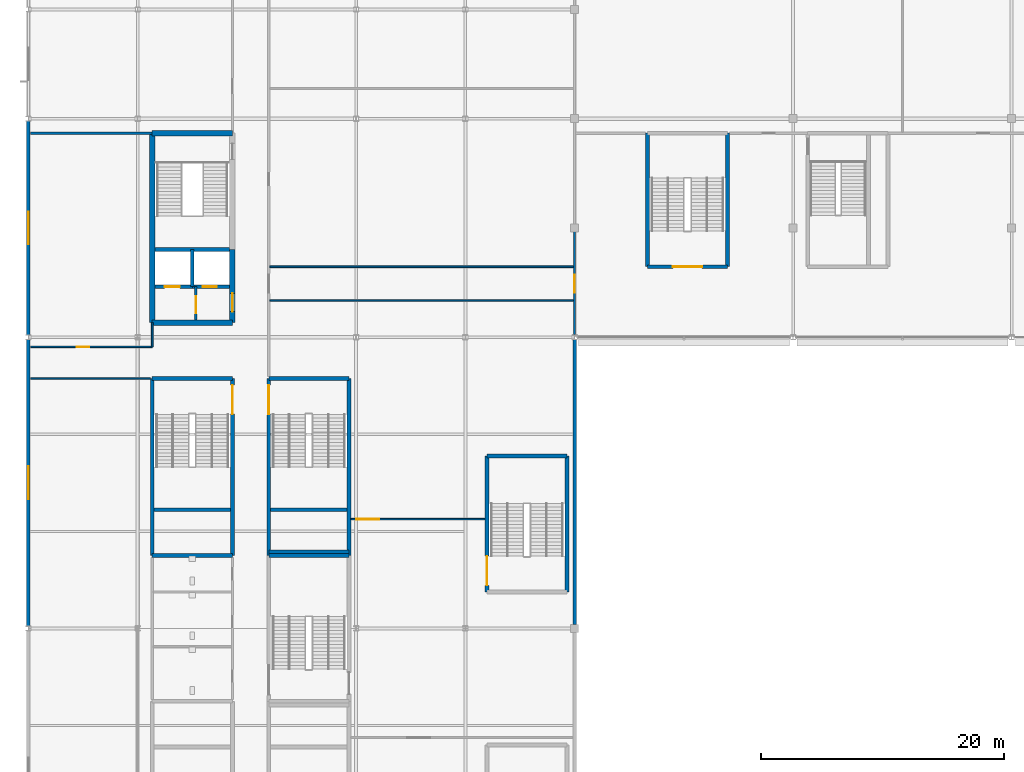
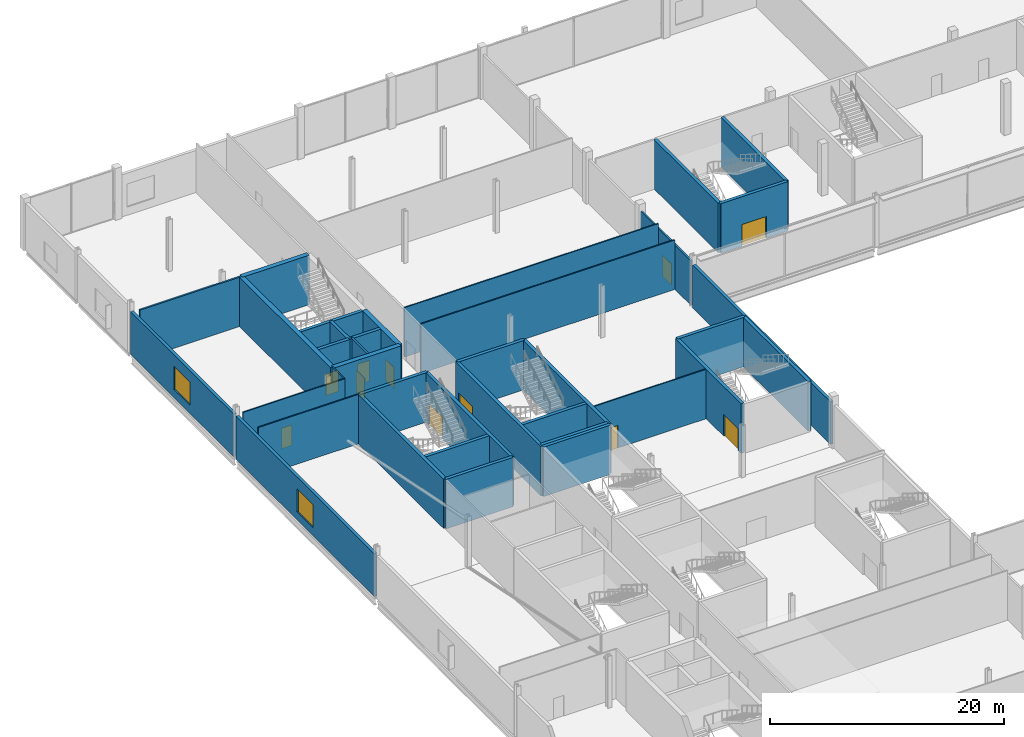
# One storey, part 61 of 111: 37 walls, 11 doors, 2 windows, 13 openings.
"""IFC4 building model written with IfcOpenShell, lengths in metres."""

from ifc_helpers import new_model, si_unit, direction, frame, frame_2d, origin, place, context, subcontext, project, spatial, rectangle, extrude, material, layer, layer_set, type_object, element, fill, save


model = new_model("IFC4")

# Units and contexts
model_context = context("Model", 3, precision=1e-05, world=origin(), true_north=direction((0.0, 1.0)))
body_context = subcontext(model_context, "Body", "Model", "MODEL_VIEW")
ifc_project = project(units=[si_unit("LENGTHUNIT", "METRE"), si_unit("AREAUNIT", "SQUARE_METRE"), si_unit("VOLUMEUNIT", "CUBIC_METRE"), si_unit("PLANEANGLEUNIT", "RADIAN"), si_unit("MASSUNIT", "GRAM", prefix="KILO")], contexts=[model_context])

# Site, building, storey
site_placement = place(None, origin())
site = spatial("IfcSite", under=ifc_project, at=site_placement, CompositionType="ELEMENT")
building_placement = place(site_placement, origin())
building = spatial("IfcBuilding", under=site, at=building_placement, Name="Kisiwana Market Hall", CompositionType="ELEMENT")
storey_placement = place(building_placement, frame((0.0, 0.0, 11.39990234375)))
storey = spatial("IfcBuildingStorey", under=building, at=storey_placement, Name="L02", CompositionType="ELEMENT", Elevation=11.39990234375)

# Wall, opening, door
ifc_material_1 = material(Name="Masonry blockwork", Category="masonry")
ifc_layer_1 = layer(ifc_material_1, 0.199951171875, Name="Plastered fire compartment block wall")
ifc_layer_set_1 = layer_set([ifc_layer_1], Name="WL-COMP-200")
wall_type_1 = type_object("IfcWallType", Name="WL-COMP-200", PredefinedType="PARTITIONING", material=ifc_layer_set_1)
wall_1_placement = place(storey_placement, frame((13.800048828125, 85.425048828125, 0.0), z_axis=(0.0, 0.0, 1.0), x_axis=(0.0, 1.0, 0.0)))
wall_1 = element("IfcWall", 1, at=wall_1_placement, inside=storey, type_object=wall_type_1, Name="Core W1 firefighting lobby wall W-1101", PredefinedType="PARTITIONING", context=body_context, shape_type="SweptSolid", body=[
    extrude(rectangle(XDim=2.72998046875, YDim=0.199951171875, at=frame_2d((1.364990234375, 0.0))), origin(), (0.0, 0.0, 1.0), 5.150146484375),
])
opening_1_placement = place(wall_1_placement, frame((0.550048828125, 0.0, 0.0)))
opening_1 = element("IfcOpeningElement", 2, at=opening_1_placement, cuts=wall_1, Name="Opening DR-L02-006", PredefinedType="OPENING", context=body_context, shape_type="SweptSolid", body=[
    extrude(rectangle(XDim=1.39990234375, YDim=2.25, at=frame_2d((0.699951171875, 1.125))), frame((0.0, 0.11181640625, 0.0), z_axis=(0.0, -1.0, 0.0), x_axis=(1.0, 0.0, 0.0)), (0.0, 0.0, 1.0), 0.223876953125),
])
ifc_material_2 = material(Name="Steel S275", Category="steel")
door_type_1 = type_object("IfcDoorType", Name="DR-FFLOB-FD120-1400", OperationType="DOUBLE_DOOR_SINGLE_SWING", PredefinedType="DOOR", material=ifc_material_2)
door_1_placement = place(opening_1_placement, frame((1.39990234375, 0.0, 0.0), z_axis=(0.0, 0.0, 1.0), x_axis=(-1.0, 0.0, 0.0)))
door_1 = element("IfcDoor", 3, at=door_1_placement, inside=storey, type_object=door_type_1, Name="Firefighting Lift Lobby W1 Door (L02)", OperationType="DOUBLE_DOOR_SINGLE_SWING", OverallHeight=2.25, OverallWidth=1.39990234375, PredefinedType="DOOR", context=body_context, shape_type="SweptSolid", body=[
    extrude(rectangle(XDim=1.39990234375, YDim=2.25, at=frame_2d((0.699951171875, 1.125))), frame((0.0, 0.02490234375, 0.0), z_axis=(0.0, -1.0, 0.0), x_axis=(1.0, 0.0, 0.0)), (0.0, 0.0, 1.0), 0.050048828125),
])
fill(opening_1, door_1)

# Walls
ifc_material_3 = material(Name="Concrete C40/50", Category="concrete")
ifc_layer_2 = layer(ifc_material_3, 0.320068359375, Name="Reinforced concrete shaft wall")
ifc_layer_set_2 = layer_set([ifc_layer_2], Name="WL-CORE-320")
wall_type_2 = type_object("IfcWallType", Name="WL-CORE-320", PredefinedType="SHEAR", material=ifc_layer_set_2)
wall_2_placement = place(storey_placement, frame((10.425048828125, 91.215087890625, 0.0), z_axis=(0.0, 0.0, 1.0), x_axis=(1.0, 0.0, 0.0)))
element("IfcWall", 4, at=wall_2_placement, inside=storey, type_object=wall_type_2, Name="Core W1 shaft back shear wall W-0932", PredefinedType="SHEAR", context=body_context, shape_type="SweptSolid", body=[
    extrude(rectangle(XDim=6.14990234375, YDim=0.320068359375, at=frame_2d((3.074951171875, 0.0))), origin(), (0.0, 0.0, 1.0), 5.150146484375),
])
wall_3_placement = place(storey_placement, frame((13.5, 88.155029296875, 0.0), z_axis=(0.0, 0.0, 1.0), x_axis=(0.0, 1.0, 0.0)))
element("IfcWall", 5, at=wall_3_placement, inside=storey, type_object=wall_type_2, Name="Core W1 inter-shaft shear wall W-0933", PredefinedType="SHEAR", context=body_context, shape_type="SweptSolid", body=[
    extrude(rectangle(XDim=3.06005859375, YDim=0.320068359375, at=frame_2d((1.530029296875, 0.0))), origin(), (0.0, 0.0, 1.0), 5.150146484375),
])

# Wall, opening, door
wall_4_placement = place(storey_placement, frame((10.425048828125, 88.155029296875, 0.0), z_axis=(0.0, 0.0, 1.0), x_axis=(1.0, 0.0, 0.0)))
wall_4 = element("IfcWall", 6, at=wall_4_placement, inside=storey, type_object=wall_type_2, Name="Core W1 west lift front wall W-0934", PredefinedType="SHEAR", context=body_context, shape_type="SweptSolid", body=[
    extrude(rectangle(XDim=3.074951171875, YDim=0.320068359375, at=frame_2d((1.53759765625, 0.0))), origin(), (0.0, 0.0, 1.0), 5.150146484375),
])
opening_2_placement = place(wall_4_placement, frame((0.800048828125, 0.0, 0.0)))
opening_2 = element("IfcOpeningElement", 7, at=opening_2_placement, cuts=wall_4, Name="Opening LD-L02-003", PredefinedType="OPENING", context=body_context, shape_type="SweptSolid", body=[
    extrude(rectangle(XDim=1.25, YDim=2.25, at=frame_2d((0.625, 1.125))), frame((0.0, 0.171875, 0.0), z_axis=(0.0, -1.0, 0.0), x_axis=(1.0, 0.0, 0.0)), (0.0, 0.0, 1.0), 0.343994140625),
])
ifc_material_4 = material(Name="Steel S275", Category="steel")
door_type_2 = type_object("IfcDoorType", Name="DR-LIFT-FFL-1250", OperationType="DOUBLE_DOOR_SLIDING", PredefinedType="DOOR", material=ifc_material_4)
door_2_placement = place(opening_2_placement, origin())
door_2 = element("IfcDoor", 8, at=door_2_placement, inside=storey, type_object=door_type_2, Name="Lift Landing Door FFL-02 (L02)", OperationType="DOUBLE_DOOR_SLIDING", OverallHeight=2.25, OverallWidth=1.25, PredefinedType="DOOR", context=body_context, shape_type="SweptSolid", body=[
    extrude(rectangle(XDim=1.25, YDim=2.25, at=frame_2d((0.625, 1.125))), frame((0.0, 0.02490234375, 0.0), z_axis=(0.0, -1.0, 0.0), x_axis=(1.0, 0.0, 0.0)), (0.0, 0.0, 1.0), 0.050048828125),
])
fill(opening_2, door_2)

wall_5_placement = place(storey_placement, frame((13.5, 88.155029296875, 0.0), z_axis=(0.0, 0.0, 1.0), x_axis=(1.0, 0.0, 0.0)))
wall_5 = element("IfcWall", 9, at=wall_5_placement, inside=storey, type_object=wall_type_2, Name="Core W1 east lift front wall W-0935", PredefinedType="SHEAR", context=body_context, shape_type="SweptSolid", body=[
    extrude(rectangle(XDim=3.074951171875, YDim=0.320068359375, at=frame_2d((1.53759765625, 0.0))), origin(), (0.0, 0.0, 1.0), 5.150146484375),
])
opening_3_placement = place(wall_5_placement, frame((0.85009765625, 0.0, 0.0)))
opening_3 = element("IfcOpeningElement", 10, at=opening_3_placement, cuts=wall_5, Name="Opening LD-L02-004", PredefinedType="OPENING", context=body_context, shape_type="SweptSolid", body=[
    extrude(rectangle(XDim=1.14990234375, YDim=2.199951171875, at=frame_2d((0.574951171875, 1.10009765625))), frame((0.0, 0.171875, 0.0), z_axis=(0.0, -1.0, 0.0), x_axis=(1.0, 0.0, 0.0)), (0.0, 0.0, 1.0), 0.343994140625),
])
ifc_material_5 = material(Name="Steel S275", Category="steel")
door_type_3 = type_object("IfcDoorType", Name="DR-LIFT-PAX-1150", OperationType="DOUBLE_DOOR_SLIDING", PredefinedType="DOOR", material=ifc_material_5)
door_3_placement = place(opening_3_placement, origin())
door_3 = element("IfcDoor", 11, at=door_3_placement, inside=storey, type_object=door_type_3, Name="Lift Landing Door LP-02 (L02)", OperationType="DOUBLE_DOOR_SLIDING", OverallHeight=2.199951171875, OverallWidth=1.14990234375, PredefinedType="DOOR", context=body_context, shape_type="SweptSolid", body=[
    extrude(rectangle(XDim=1.14990234375, YDim=2.199951171875, at=frame_2d((0.574951171875, 1.10009765625))), frame((0.0, 0.02490234375, 0.0), z_axis=(0.0, -1.0, 0.0), x_axis=(1.0, 0.0, 0.0)), (0.0, 0.0, 1.0), 0.050048828125),
])
fill(opening_3, door_3)

# Walls
for number, where, z_axis, x_axis, name in (
    (12, (10.199951171875, 66.0, 0.0), (0.0, 0.0, 1.0), (1.0, 0.0, 0.0), "Core W4 south shear wall W-0981"),
    (13, (10.199951171875, 80.60009765625, 0.0), (0.0, 0.0, 1.0), (1.0, 0.0, 0.0), "Core W4 north shear wall W-0982"),
):
    element("IfcWall", number, at=place(storey_placement, frame(where, z_axis=z_axis, x_axis=x_axis)), inside=storey, type_object=wall_type_2, Name=name, PredefinedType="SHEAR", context=body_context, shape_type="SweptSolid", body=[
        extrude(rectangle(XDim=6.60009765625, YDim=0.320068359375, at=frame_2d((3.300048828125, 0.0))), origin(), (0.0, 0.0, 1.0), 5.150146484375),
    ])
wall_6_placement = place(storey_placement, frame((10.199951171875, 66.0, 0.0), z_axis=(0.0, 0.0, 1.0), x_axis=(0.0, 1.0, 0.0)))
element("IfcWall", 14, at=wall_6_placement, inside=storey, type_object=wall_type_2, Name="Core W4 outer shear wall W-0983", PredefinedType="SHEAR", context=body_context, shape_type="SweptSolid", body=[
    extrude(rectangle(XDim=14.60009765625, YDim=0.320068359375, at=frame_2d((7.300048828125, 0.0))), origin(), (0.0, 0.0, 1.0), 5.150146484375),
])

# Wall, opening, door
wall_7_placement = place(storey_placement, frame((16.800048828125, 66.0, 0.0), z_axis=(0.0, 0.0, 1.0), x_axis=(0.0, 1.0, 0.0)))
wall_7 = element("IfcWall", 15, at=wall_7_placement, inside=storey, type_object=wall_type_2, Name="Core W4 corridor shear wall W-0984", PredefinedType="SHEAR", context=body_context, shape_type="SweptSolid", body=[
    extrude(rectangle(XDim=14.60009765625, YDim=0.320068359375, at=frame_2d((7.300048828125, 0.0))), origin(), (0.0, 0.0, 1.0), 5.150146484375),
])
opening_4_placement = place(wall_7_placement, frame((11.64990234375, 0.0, 0.0)))
opening_4 = element("IfcOpeningElement", 16, at=opening_4_placement, cuts=wall_7, Name="Opening DR-L02-020", PredefinedType="OPENING", context=body_context, shape_type="SweptSolid", body=[
    extrude(rectangle(XDim=2.39990234375, YDim=2.25, at=frame_2d((1.199951171875, 1.125))), frame((0.0, 0.171875, 0.0), z_axis=(0.0, -1.0, 0.0), x_axis=(1.0, 0.0, 0.0)), (0.0, 0.0, 1.0), 0.343994140625),
])
ifc_material_6 = material(Name="Steel S275", Category="steel")
door_type_4 = type_object("IfcDoorType", Name="DR-STAIR-FD120-2400", OperationType="DOUBLE_DOOR_SINGLE_SWING", PredefinedType="DOOR", material=ifc_material_6)
door_4_placement = place(opening_4_placement, origin())
door_4 = element("IfcDoor", 17, at=door_4_placement, inside=storey, type_object=door_type_4, Name="Escape Stair W4 Fire Door (L02)", OperationType="DOUBLE_DOOR_SINGLE_SWING", OverallHeight=2.25, OverallWidth=2.39990234375, PredefinedType="DOOR", context=body_context, shape_type="SweptSolid", body=[
    extrude(rectangle(XDim=2.39990234375, YDim=2.25, at=frame_2d((1.199951171875, 1.125))), frame((0.0, 0.02490234375, 0.0), z_axis=(0.0, -1.0, 0.0), x_axis=(1.0, 0.0, 0.0)), (0.0, 0.0, 1.0), 0.050048828125),
])
fill(opening_4, door_4)

# Walls
wall_8_placement = place(storey_placement, frame((10.360107421875, 69.780029296875, 0.0), z_axis=(0.0, 0.0, 1.0), x_axis=(1.0, 0.0, 0.0)))
element("IfcWall", 18, at=wall_8_placement, inside=storey, type_object=wall_type_2, Name="Core W4 riser divider shear wall W-0985", PredefinedType="SHEAR", context=body_context, shape_type="SweptSolid", body=[
    extrude(rectangle(XDim=6.27978515625, YDim=0.320068359375, at=frame_2d((3.139892578125, 0.0))), origin(), (0.0, 0.0, 1.0), 5.150146484375),
])
for number, where, z_axis, x_axis, name in (
    (19, (19.800048828125, 66.0, 0.0), (0.0, 0.0, 1.0), (1.0, 0.0, 0.0), "Core W8 south shear wall W-1006"),
    (20, (19.800048828125, 80.60009765625, 0.0), (0.0, 0.0, 1.0), (1.0, 0.0, 0.0), "Core W8 north shear wall W-1007"),
):
    element("IfcWall", number, at=place(storey_placement, frame(where, z_axis=z_axis, x_axis=x_axis)), inside=storey, type_object=wall_type_2, Name=name, PredefinedType="SHEAR", context=body_context, shape_type="SweptSolid", body=[
        extrude(rectangle(XDim=6.599853515625, YDim=0.320068359375, at=frame_2d((3.2998046875, 0.0))), origin(), (0.0, 0.0, 1.0), 5.150146484375),
    ])

# Wall, opening, door
wall_9_placement = place(storey_placement, frame((19.800048828125, 66.0, 0.0), z_axis=(0.0, 0.0, 1.0), x_axis=(0.0, 1.0, 0.0)))
wall_9 = element("IfcWall", 21, at=wall_9_placement, inside=storey, type_object=wall_type_2, Name="Core W8 corridor shear wall W-1008", PredefinedType="SHEAR", context=body_context, shape_type="SweptSolid", body=[
    extrude(rectangle(XDim=14.60009765625, YDim=0.320068359375, at=frame_2d((7.300048828125, 0.0))), origin(), (0.0, 0.0, 1.0), 5.150146484375),
])
opening_5_placement = place(wall_9_placement, frame((11.64990234375, 0.0, 0.0)))
opening_5 = element("IfcOpeningElement", 22, at=opening_5_placement, cuts=wall_9, Name="Opening DR-L02-025", PredefinedType="OPENING", context=body_context, shape_type="SweptSolid", body=[
    extrude(rectangle(XDim=2.39990234375, YDim=2.25, at=frame_2d((1.199951171875, 1.125))), frame((0.0, 0.171875, 0.0), z_axis=(0.0, -1.0, 0.0), x_axis=(1.0, 0.0, 0.0)), (0.0, 0.0, 1.0), 0.343994140625),
])
door_5_placement = place(opening_5_placement, frame((2.39990234375, 0.0, 0.0), z_axis=(0.0, 0.0, 1.0), x_axis=(-1.0, 0.0, 0.0)))
door_5 = element("IfcDoor", 23, at=door_5_placement, inside=storey, type_object=door_type_4, Name="Escape Stair W8 Fire Door (L02)", OperationType="DOUBLE_DOOR_SINGLE_SWING", OverallHeight=2.25, OverallWidth=2.39990234375, PredefinedType="DOOR", context=body_context, shape_type="SweptSolid", body=[
    extrude(rectangle(XDim=2.39990234375, YDim=2.25, at=frame_2d((1.199951171875, 1.125))), frame((0.0, 0.02490234375, 0.0), z_axis=(0.0, -1.0, 0.0), x_axis=(1.0, 0.0, 0.0)), (0.0, 0.0, 1.0), 0.050048828125),
])
fill(opening_5, door_5)

# Walls
wall_10_placement = place(storey_placement, frame((26.39990234375, 66.0, 0.0), z_axis=(0.0, 0.0, 1.0), x_axis=(0.0, 1.0, 0.0)))
element("IfcWall", 24, at=wall_10_placement, inside=storey, type_object=wall_type_2, Name="Core W8 outer shear wall W-1009", PredefinedType="SHEAR", context=body_context, shape_type="SweptSolid", body=[
    extrude(rectangle(XDim=14.60009765625, YDim=0.320068359375, at=frame_2d((7.300048828125, 0.0))), origin(), (0.0, 0.0, 1.0), 5.150146484375),
])
wall_11_placement = place(storey_placement, frame((19.9599609375, 69.780029296875, 0.0), z_axis=(0.0, 0.0, 1.0), x_axis=(1.0, 0.0, 0.0)))
element("IfcWall", 25, at=wall_11_placement, inside=storey, type_object=wall_type_2, Name="Core W8 riser divider shear wall W-1010", PredefinedType="SHEAR", context=body_context, shape_type="SweptSolid", body=[
    extrude(rectangle(XDim=6.280029296875, YDim=0.320068359375, at=frame_2d((3.14013671875, 0.0))), origin(), (0.0, 0.0, 1.0), 5.150146484375),
])
wall_12_placement = place(storey_placement, frame((37.77001953125, 74.199951171875, 0.0), z_axis=(0.0, 0.0, 1.0), x_axis=(1.0, 0.0, 0.0)))
element("IfcWall", 26, at=wall_12_placement, inside=storey, type_object=wall_type_2, Name="Core W10 north shear wall W-1025", PredefinedType="SHEAR", context=body_context, shape_type="SweptSolid", body=[
    extrude(rectangle(XDim=6.60009765625, YDim=0.320068359375, at=frame_2d((3.300048828125, 0.0))), origin(), (0.0, 0.0, 1.0), 5.150146484375),
])

# Wall, opening, door
wall_13_placement = place(storey_placement, frame((37.77001953125, 63.0, 0.0), z_axis=(0.0, 0.0, 1.0), x_axis=(0.0, 1.0, 0.0)))
wall_13 = element("IfcWall", 27, at=wall_13_placement, inside=storey, type_object=wall_type_2, Name="Core W10 corridor shear wall W-1026", PredefinedType="SHEAR", context=body_context, shape_type="SweptSolid", body=[
    extrude(rectangle(XDim=11.199951171875, YDim=0.320068359375, at=frame_2d((5.60009765625, 0.0))), origin(), (0.0, 0.0, 1.0), 5.150146484375),
])
opening_6_placement = place(wall_13_placement, frame((0.550048828125, 0.0, 0.0)))
opening_6 = element("IfcOpeningElement", 28, at=opening_6_placement, cuts=wall_13, Name="Opening DR-L02-029", PredefinedType="OPENING", context=body_context, shape_type="SweptSolid", body=[
    extrude(rectangle(XDim=2.39990234375, YDim=2.25, at=frame_2d((1.199951171875, 1.125))), frame((0.0, 0.171875, 0.0), z_axis=(0.0, -1.0, 0.0), x_axis=(1.0, 0.0, 0.0)), (0.0, 0.0, 1.0), 0.343994140625),
])
door_6_placement = place(opening_6_placement, frame((2.39990234375, 0.0, 0.0), z_axis=(0.0, 0.0, 1.0), x_axis=(-1.0, 0.0, 0.0)))
door_6 = element("IfcDoor", 29, at=door_6_placement, inside=storey, type_object=door_type_4, Name="Escape Stair W10 Fire Door (L02)", OperationType="DOUBLE_DOOR_SINGLE_SWING", OverallHeight=2.25, OverallWidth=2.39990234375, PredefinedType="DOOR", context=body_context, shape_type="SweptSolid", body=[
    extrude(rectangle(XDim=2.39990234375, YDim=2.25, at=frame_2d((1.199951171875, 1.125))), frame((0.0, 0.02490234375, 0.0), z_axis=(0.0, -1.0, 0.0), x_axis=(1.0, 0.0, 0.0)), (0.0, 0.0, 1.0), 0.050048828125),
])
fill(opening_6, door_6)

# Walls
wall_14_placement = place(storey_placement, frame((44.3701171875, 63.0, 0.0), z_axis=(0.0, 0.0, 1.0), x_axis=(0.0, 1.0, 0.0)))
element("IfcWall", 30, at=wall_14_placement, inside=storey, type_object=wall_type_2, Name="Core W10 outer shear wall W-1027", PredefinedType="SHEAR", context=body_context, shape_type="SweptSolid", body=[
    extrude(rectangle(XDim=11.199951171875, YDim=0.320068359375, at=frame_2d((5.60009765625, 0.0))), origin(), (0.0, 0.0, 1.0), 5.150146484375),
])
wall_15_placement = place(storey_placement, frame((19.800048828125, 66.320068359375, 0.0), z_axis=(0.0, 0.0, 1.0), x_axis=(1.0, 0.0, 0.0)))
element("IfcWall", 31, at=wall_15_placement, inside=storey, type_object=wall_type_2, Name="Core W5 north shear wall W-1033", PredefinedType="SHEAR", context=body_context, shape_type="SweptSolid", body=[
    extrude(rectangle(XDim=6.599853515625, YDim=0.320068359375, at=frame_2d((3.2998046875, 0.0))), origin(), (0.0, 0.0, 1.0), 5.150146484375),
])

# Wall, opening, door
wall_16_placement = place(storey_placement, frame((51.0, 89.800048828125, 0.0), z_axis=(0.0, 0.0, 1.0), x_axis=(1.0, 0.0, 0.0)))
wall_16 = element("IfcWall", 32, at=wall_16_placement, inside=storey, type_object=wall_type_2, Name="Core N3 corridor shear wall W-1044", PredefinedType="SHEAR", context=body_context, shape_type="SweptSolid", body=[
    extrude(rectangle(XDim=6.60009765625, YDim=0.320068359375, at=frame_2d((3.300048828125, 0.0))), origin(), (0.0, 0.0, 1.0), 5.150146484375),
])
opening_7_placement = place(wall_16_placement, frame((2.10009765625, 0.0, 0.0)))
opening_7 = element("IfcOpeningElement", 33, at=opening_7_placement, cuts=wall_16, Name="Opening DR-L02-036", PredefinedType="OPENING", context=body_context, shape_type="SweptSolid", body=[
    extrude(rectangle(XDim=2.39990234375, YDim=2.25, at=frame_2d((1.199951171875, 1.125))), frame((0.0, 0.171875, 0.0), z_axis=(0.0, -1.0, 0.0), x_axis=(1.0, 0.0, 0.0)), (0.0, 0.0, 1.0), 0.343994140625),
])
door_7_placement = place(opening_7_placement, origin())
door_7 = element("IfcDoor", 34, at=door_7_placement, inside=storey, type_object=door_type_4, Name="Escape Stair N3 Fire Door (L02)", OperationType="DOUBLE_DOOR_SINGLE_SWING", OverallHeight=2.25, OverallWidth=2.39990234375, PredefinedType="DOOR", context=body_context, shape_type="SweptSolid", body=[
    extrude(rectangle(XDim=2.39990234375, YDim=2.25, at=frame_2d((1.199951171875, 1.125))), frame((0.0, 0.02490234375, 0.0), z_axis=(0.0, -1.0, 0.0), x_axis=(1.0, 0.0, 0.0)), (0.0, 0.0, 1.0), 0.050048828125),
])
fill(opening_7, door_7)

# Walls
for number, where, z_axis, x_axis, name in (
    (35, (51.0, 89.800048828125, 0.0), (0.0, 0.0, 1.0), (0.0, 1.0, 0.0), "Core N3 west shear wall W-1046"),
    (36, (57.60009765625, 89.800048828125, 0.0), (0.0, 0.0, 1.0), (0.0, 1.0, 0.0), "Core N3 east shear wall W-1047"),
):
    element("IfcWall", number, at=place(storey_placement, frame(where, z_axis=z_axis, x_axis=x_axis)), inside=storey, type_object=wall_type_2, Name=name, PredefinedType="SHEAR", context=body_context, shape_type="SweptSolid", body=[
        extrude(rectangle(XDim=11.0, YDim=0.320068359375, at=frame_2d((5.5, 0.0))), origin(), (0.0, 0.0, 1.0), 5.150146484375),
    ])
ifc_material_7 = material(Name="Concrete C40/50", Category="concrete")
ifc_layer_3 = layer(ifc_material_7, 0.449951171875, Name="Reinforced concrete core wall")
ifc_layer_set_3 = layer_set([ifc_layer_3], Name="WL-CORE-450")
wall_type_3 = type_object("IfcWallType", Name="WL-CORE-450", PredefinedType="SHEAR", material=ifc_layer_set_3)
for number, where, z_axis, x_axis, name in (
    (37, (10.199951171875, 85.199951171875, 0.0), (0.0, 0.0, 1.0), (1.0, 0.0, 0.0), "Core W1 south shear wall W-0927"),
    (38, (10.199951171875, 100.800048828125, 0.0), (0.0, 0.0, 1.0), (1.0, 0.0, 0.0), "Core W1 north shear wall W-0928"),
):
    element("IfcWall", number, at=place(storey_placement, frame(where, z_axis=z_axis, x_axis=x_axis)), inside=storey, type_object=wall_type_3, Name=name, PredefinedType="SHEAR", context=body_context, shape_type="SweptSolid", body=[
        extrude(rectangle(XDim=6.60009765625, YDim=0.449951171875, at=frame_2d((3.300048828125, 0.0))), origin(), (0.0, 0.0, 1.0), 5.150146484375),
    ])
wall_17_placement = place(storey_placement, frame((10.199951171875, 85.199951171875, 0.0), z_axis=(0.0, 0.0, 1.0), x_axis=(0.0, 1.0, 0.0)))
element("IfcWall", 39, at=wall_17_placement, inside=storey, type_object=wall_type_3, Name="Core W1 outer shear wall W-0929", PredefinedType="SHEAR", context=body_context, shape_type="SweptSolid", body=[
    extrude(rectangle(XDim=15.60009765625, YDim=0.449951171875, at=frame_2d((7.800048828125, 0.0))), origin(), (0.0, 0.0, 1.0), 5.150146484375),
])

# Wall, opening, door
wall_18_placement = place(storey_placement, frame((16.800048828125, 85.199951171875, 0.0), z_axis=(0.0, 0.0, 1.0), x_axis=(0.0, 1.0, 0.0)))
wall_18 = element("IfcWall", 40, at=wall_18_placement, inside=storey, type_object=wall_type_3, Name="Core W1 lobby corridor shear wall W-0930", PredefinedType="SHEAR", context=body_context, shape_type="SweptSolid", body=[
    extrude(rectangle(XDim=6.01513671875, YDim=0.449951171875, at=frame_2d((3.007568359375, 0.0))), origin(), (0.0, 0.0, 1.0), 5.150146484375),
])
opening_8_placement = place(wall_18_placement, frame((0.89990234375, 0.0, 0.0)))
opening_8 = element("IfcOpeningElement", 41, at=opening_8_placement, cuts=wall_18, Name="Opening DR-L02-004", PredefinedType="OPENING", context=body_context, shape_type="SweptSolid", body=[
    extrude(rectangle(XDim=1.5, YDim=2.199951171875, at=frame_2d((0.75, 1.10009765625))), frame((0.0, 0.23681640625, 0.0), z_axis=(0.0, -1.0, 0.0), x_axis=(1.0, 0.0, 0.0)), (0.0, 0.0, 1.0), 0.473876953125),
])
ifc_material_8 = material(Name="Steel S275", Category="steel")
door_type_5 = type_object("IfcDoorType", Name="DR-CORR-FD60-1500", OperationType="DOUBLE_DOOR_SINGLE_SWING", PredefinedType="DOOR", material=ifc_material_8)
door_8_placement = place(opening_8_placement, frame((1.5, 0.0, 0.0), z_axis=(0.0, 0.0, 1.0), x_axis=(-1.0, 0.0, 0.0)))
door_8 = element("IfcDoor", 42, at=door_8_placement, inside=storey, type_object=door_type_5, Name="Passenger Lift Lobby W1 Smoke Door (L02)", OperationType="DOUBLE_DOOR_SINGLE_SWING", OverallHeight=2.199951171875, OverallWidth=1.5, PredefinedType="DOOR", context=body_context, shape_type="SweptSolid", body=[
    extrude(rectangle(XDim=1.5, YDim=2.199951171875, at=frame_2d((0.75, 1.10009765625))), frame((0.0, 0.02490234375, 0.0), z_axis=(0.0, -1.0, 0.0), x_axis=(1.0, 0.0, 0.0)), (0.0, 0.0, 1.0), 0.050048828125),
])
fill(opening_8, door_8)

# Wall
ifc_material_9 = material(Name="Masonry blockwork", Category="masonry")
ifc_layer_4 = layer(ifc_material_9, 0.169921875, Name="Protected corridor partition")
ifc_layer_set_4 = layer_set([ifc_layer_4], Name="WL-CORR-170")
wall_type_4 = type_object("IfcWallType", Name="WL-CORR-170", PredefinedType="PARTITIONING", material=ifc_layer_set_4)
wall_19_placement = place(storey_placement, frame((0.1826171875, 100.800048828125, 0.0), z_axis=(0.0, 0.0, 1.0), x_axis=(1.0, 0.0, 0.0)))
element("IfcWall", 43, at=wall_19_placement, inside=storey, type_object=wall_type_4, Name="Interior partition W-1111", PredefinedType="PARTITIONING", context=body_context, shape_type="SweptSolid", body=[
    extrude(rectangle(XDim=10.017333984375, YDim=0.169921875, at=frame_2d((5.0087890625, 0.0))), origin(), (0.0, 0.0, 1.0), 5.150146484375),
])

# Wall, opening, door
wall_20_placement = place(storey_placement, frame((45.0, 84.219970703125, 0.0), z_axis=(0.0, 0.0, 1.0), x_axis=(0.0, 1.0, 0.0)))
wall_20 = element("IfcWall", 44, at=wall_20_placement, inside=storey, type_object=wall_type_4, Name="Interior partition W-1131", PredefinedType="PARTITIONING", context=body_context, shape_type="SweptSolid", body=[
    extrude(rectangle(XDim=8.56005859375, YDim=0.169921875, at=frame_2d((4.280029296875, 0.0))), origin(), (0.0, 0.0, 1.0), 4.616943359375),
])
opening_9_placement = place(wall_20_placement, frame((3.429931640625, 0.0, 0.0)))
opening_9 = element("IfcOpeningElement", 45, at=opening_9_placement, cuts=wall_20, Name="Opening DR-L02-064", PredefinedType="OPENING", context=body_context, shape_type="SweptSolid", body=[
    extrude(rectangle(XDim=1.5, YDim=2.199951171875, at=frame_2d((0.75, 1.10009765625))), frame((0.0, 0.096923828125, 0.0), z_axis=(0.0, -1.0, 0.0), x_axis=(1.0, 0.0, 0.0)), (0.0, 0.0, 1.0), 0.19384765625),
])
door_9_placement = place(opening_9_placement, origin())
door_9 = element("IfcDoor", 46, at=door_9_placement, inside=storey, type_object=door_type_5, Name="L02 W North Spine Link Door", OperationType="DOUBLE_DOOR_SINGLE_SWING", OverallHeight=2.199951171875, OverallWidth=1.5, PredefinedType="DOOR", context=body_context, shape_type="SweptSolid", body=[
    extrude(rectangle(XDim=1.5, YDim=2.199951171875, at=frame_2d((0.75, 1.10009765625))), frame((0.0, 0.02490234375, 0.0), z_axis=(0.0, -1.0, 0.0), x_axis=(1.0, 0.0, 0.0)), (0.0, 0.0, 1.0), 0.050048828125),
])
fill(opening_9, door_9)

# Wall, opening, window
ifc_material_10 = material(Name="Masonry blockwork", Category="masonry")
ifc_layer_5 = layer(ifc_material_10, 0.139892578125, Name="Rendered masonry outer leaf")
ifc_material_11 = material(Name="Mineral wool insulation")
ifc_layer_6 = layer(ifc_material_11, 0.074951171875, Name="Mineral wool cavity insulation")
ifc_material_12 = material(Name="Gypsum plasterboard")
ifc_layer_7 = layer(ifc_material_12, 0.074951171875, Name="Calcium silicate inner lining")
ifc_layer_set_5 = layer_set([ifc_layer_5, ifc_layer_6, ifc_layer_7], Name="WL-EXT-MAS-290")
wall_type_5 = type_object("IfcWallType", Name="WL-EXT-MAS-290", PredefinedType="STANDARD", material=ifc_layer_set_5)
wall_21_placement = place(storey_placement, frame((0.0, 60.194091796875, 0.0), z_axis=(0.0, 0.0, 1.0), x_axis=(0.0, 1.0, 0.0)))
wall_21 = element("IfcWall", 47, at=wall_21_placement, inside=storey, type_object=wall_type_5, Name="Exterior wall W-1084", PredefinedType="STANDARD", context=body_context, shape_type="SweptSolid", body=[
    extrude(rectangle(XDim=23.61181640625, YDim=0.2900390625, at=frame_2d((11.805908203125, 0.0))), origin(), (0.0, 0.0, 1.0), 4.466552734375),
])
opening_10_placement = place(wall_21_placement, frame((10.4560546875, 0.0, 0.85009765625)))
opening_10 = element("IfcOpeningElement", 48, at=opening_10_placement, cuts=wall_21, Name="Opening WN-10", PredefinedType="OPENING", context=body_context, shape_type="SweptSolid", body=[
    extrude(rectangle(XDim=2.699951171875, YDim=2.39990234375, at=frame_2d((1.35009765625, 1.199951171875))), frame((0.0, 0.156982421875, 0.0), z_axis=(0.0, -1.0, 0.0), x_axis=(1.0, 0.0, 0.0)), (0.0, 0.0, 1.0), 0.31396484375),
])
ifc_material_13 = material(Name="Double-glazed solar-control low-E IGU", Category="glass")
window_type = type_object("IfcWindowType", Name="WN-GLD-2700x2400", PartitioningType="SINGLE_PANEL", PredefinedType="WINDOW", material=ifc_material_13)
window_1_placement = place(opening_10_placement, origin())
window_1 = element("IfcWindow", 49, at=window_1_placement, inside=storey, type_object=window_type, Name="Exterior window WN-040", OverallHeight=2.39990234375, OverallWidth=2.699951171875, PartitioningType="SINGLE_PANEL", PredefinedType="WINDOW", context=body_context, shape_type="SweptSolid", body=[
    extrude(rectangle(XDim=2.699951171875, YDim=2.39990234375, at=frame_2d((1.35009765625, 1.199951171875))), frame((0.0, 0.030029296875, 0.0), z_axis=(0.0, -1.0, 0.0), x_axis=(1.0, 0.0, 0.0)), (0.0, 0.0, 1.0), 0.06005859375),
])
fill(opening_10, window_1)

wall_22_placement = place(storey_placement, frame((0.0, 84.194091796875, 0.0), z_axis=(0.0, 0.0, 1.0), x_axis=(0.0, 1.0, 0.0)))
wall_22 = element("IfcWall", 50, at=wall_22_placement, inside=storey, type_object=wall_type_5, Name="Exterior wall W-1085", PredefinedType="STANDARD", context=body_context, shape_type="SweptSolid", body=[
    extrude(rectangle(XDim=17.61181640625, YDim=0.2900390625, at=frame_2d((8.805908203125, 0.0))), origin(), (0.0, 0.0, 1.0), 4.466552734375),
])
opening_11_placement = place(wall_22_placement, frame((7.4560546875, 0.0, 0.85009765625)))
opening_11 = element("IfcOpeningElement", 51, at=opening_11_placement, cuts=wall_22, Name="Opening WN-10", PredefinedType="OPENING", context=body_context, shape_type="SweptSolid", body=[
    extrude(rectangle(XDim=2.699951171875, YDim=2.39990234375, at=frame_2d((1.35009765625, 1.199951171875))), frame((0.0, 0.156982421875, 0.0), z_axis=(0.0, -1.0, 0.0), x_axis=(1.0, 0.0, 0.0)), (0.0, 0.0, 1.0), 0.31396484375),
])
window_2_placement = place(opening_11_placement, origin())
window_2 = element("IfcWindow", 52, at=window_2_placement, inside=storey, type_object=window_type, Name="Exterior window WN-041", OverallHeight=2.39990234375, OverallWidth=2.699951171875, PartitioningType="SINGLE_PANEL", PredefinedType="WINDOW", context=body_context, shape_type="SweptSolid", body=[
    extrude(rectangle(XDim=2.699951171875, YDim=2.39990234375, at=frame_2d((1.35009765625, 1.199951171875))), frame((0.0, 0.030029296875, 0.0), z_axis=(0.0, -1.0, 0.0), x_axis=(1.0, 0.0, 0.0)), (0.0, 0.0, 1.0), 0.06005859375),
])
fill(opening_11, window_2)

# Walls
wall_23_placement = place(storey_placement, frame((45.0, 60.31689453125, 0.0), z_axis=(0.0, 0.0, 1.0), x_axis=(0.0, 1.0, 0.0)))
element("IfcWall", 53, at=wall_23_placement, inside=storey, type_object=wall_type_5, Name="Exterior wall W-1089", PredefinedType="STANDARD", context=body_context, shape_type="SweptSolid", body=[
    extrude(rectangle(XDim=23.484619140625, YDim=0.2900390625, at=frame_2d((11.7421875, 0.0))), origin(), (0.0, 0.0, 1.0), 4.466552734375),
])
ifc_material_14 = material(Name="Gypsum plasterboard")
ifc_layer_8 = layer(ifc_material_14, 0.125, Name="Double gypsum board + acoustic stud")
ifc_layer_set_6 = layer_set([ifc_layer_8], Name="WL-OFF-125")
wall_type_6 = type_object("IfcWallType", Name="WL-OFF-125", PredefinedType="PARTITIONING", material=ifc_layer_set_6)
wall_24_placement = place(storey_placement, frame((10.199951171875, 83.199951171875, 0.0), z_axis=(0.0, 0.0, 1.0), x_axis=(0.0, 1.0, 0.0)))
element("IfcWall", 54, at=wall_24_placement, inside=storey, type_object=wall_type_6, Name="Interior partition W-1109", PredefinedType="PARTITIONING", context=body_context, shape_type="SweptSolid", body=[
    extrude(rectangle(XDim=2.0, YDim=0.125, at=frame_2d((1.0, 0.0))), origin(), (0.0, 0.0, 1.0), 5.150146484375),
])
wall_25_placement = place(storey_placement, frame((0.1826171875, 80.60009765625, 0.0), z_axis=(0.0, 0.0, 1.0), x_axis=(1.0, 0.0, 0.0)))
element("IfcWall", 55, at=wall_25_placement, inside=storey, type_object=wall_type_6, Name="Interior partition W-1114", PredefinedType="PARTITIONING", context=body_context, shape_type="SweptSolid", body=[
    extrude(rectangle(XDim=9.857421875, YDim=0.125, at=frame_2d((4.9287109375, 0.0))), origin(), (0.0, 0.0, 1.0), 5.150146484375),
])

# Wall, opening, door
wall_26_placement = place(storey_placement, frame((0.1826171875, 83.199951171875, 0.0), z_axis=(0.0, 0.0, 1.0), x_axis=(1.0, 0.0, 0.0)))
wall_26 = element("IfcWall", 56, at=wall_26_placement, inside=storey, type_object=wall_type_6, Name="Interior partition W-1115", PredefinedType="PARTITIONING", context=body_context, shape_type="SweptSolid", body=[
    extrude(rectangle(XDim=10.017333984375, YDim=0.125, at=frame_2d((5.0087890625, 0.0))), origin(), (0.0, 0.0, 1.0), 5.150146484375),
])
opening_12_placement = place(wall_26_placement, frame((3.81689453125, 0.0, 0.0)))
opening_12 = element("IfcOpeningElement", 57, at=opening_12_placement, cuts=wall_26, Name="Opening DR-L02-048", PredefinedType="OPENING", context=body_context, shape_type="SweptSolid", body=[
    extrude(rectangle(XDim=1.0, YDim=2.14990234375, at=frame_2d((0.5, 1.074951171875))), frame((0.0, 0.074462890625, 0.0), z_axis=(0.0, -1.0, 0.0), x_axis=(1.0, 0.0, 0.0)), (0.0, 0.0, 1.0), 0.14892578125),
])
ifc_material_15 = material(Name="Aluminium alloy 6063-T6", Category="aluminium")
door_type_6 = type_object("IfcDoorType", Name="DR-OFF-1000", OperationType="NOTDEFINED", PredefinedType="DOOR", material=ifc_material_15)
door_10_placement = place(opening_12_placement, origin())
door_10 = element("IfcDoor", 58, at=door_10_placement, inside=storey, type_object=door_type_6, Name="L02 W Trade Guild Studio North Door", OperationType="SINGLE_SWING_LEFT", OverallHeight=2.14990234375, OverallWidth=1.0, PredefinedType="DOOR", context=body_context, shape_type="SweptSolid", body=[
    extrude(rectangle(XDim=1.0, YDim=2.14990234375, at=frame_2d((0.5, 1.074951171875))), frame((0.0, 0.02490234375, 0.0), z_axis=(0.0, -1.0, 0.0), x_axis=(1.0, 0.0, 0.0)), (0.0, 0.0, 1.0), 0.050048828125),
])
fill(opening_12, door_10)

wall_27_placement = place(storey_placement, frame((26.56005859375, 69.0, 0.0), z_axis=(0.0, 0.0, 1.0), x_axis=(1.0, 0.0, 0.0)))
wall_27 = element("IfcWall", 59, at=wall_27_placement, inside=storey, type_object=wall_type_6, Name="Interior partition W-1122", PredefinedType="PARTITIONING", context=body_context, shape_type="SweptSolid", body=[
    extrude(rectangle(XDim=11.050048828125, YDim=0.125, at=frame_2d((5.52490234375, 0.0))), origin(), (0.0, 0.0, 1.0), 5.150146484375),
])
opening_13_placement = place(wall_27_placement, frame((0.449951171875, 0.0, 0.0)))
opening_13 = element("IfcOpeningElement", 60, at=opening_13_placement, cuts=wall_27, Name="Opening DR-L02-052", PredefinedType="OPENING", context=body_context, shape_type="SweptSolid", body=[
    extrude(rectangle(XDim=1.89990234375, YDim=2.35009765625, at=frame_2d((0.949951171875, 1.175048828125))), frame((0.0, 0.074462890625, 0.0), z_axis=(0.0, -1.0, 0.0), x_axis=(1.0, 0.0, 0.0)), (0.0, 0.0, 1.0), 0.14892578125),
])
ifc_material_16 = material(Name="Steel S275", Category="steel")
door_type_7 = type_object("IfcDoorType", Name="DR-HALL-1900", OperationType="DOUBLE_DOOR_SINGLE_SWING", PredefinedType="DOOR", material=ifc_material_16)
door_11_placement = place(opening_13_placement, origin())
door_11 = element("IfcDoor", 61, at=door_11_placement, inside=storey, type_object=door_type_7, Name="L02 W Cooperative Boardroom Exit Door", OperationType="DOUBLE_DOOR_SINGLE_SWING", OverallHeight=2.35009765625, OverallWidth=1.89990234375, PredefinedType="DOOR", context=body_context, shape_type="SweptSolid", body=[
    extrude(rectangle(XDim=1.89990234375, YDim=2.35009765625, at=frame_2d((0.949951171875, 1.175048828125))), frame((0.0, 0.02490234375, 0.0), z_axis=(0.0, -1.0, 0.0), x_axis=(1.0, 0.0, 0.0)), (0.0, 0.0, 1.0), 0.050048828125),
])
fill(opening_13, door_11)

# Walls
for number, where, z_axis, x_axis, name in (
    (62, (19.885009765625, 87.0, 0.0), (0.0, 0.0, 1.0), (1.0, 0.0, 0.0), "Interior partition W-1123"),
    (63, (19.885009765625, 89.800048828125, 0.0), (0.0, 0.0, 1.0), (1.0, 0.0, 0.0), "Interior partition W-1124"),
):
    element("IfcWall", number, at=place(storey_placement, frame(where, z_axis=z_axis, x_axis=x_axis)), inside=storey, type_object=wall_type_6, Name=name, PredefinedType="PARTITIONING", context=body_context, shape_type="SweptSolid", body=[
        extrude(rectangle(XDim=25.030029296875, YDim=0.125, at=frame_2d((12.51513671875, 0.0))), origin(), (0.0, 0.0, 1.0), 5.150146484375),
    ])

save(model, "model.ifc")
